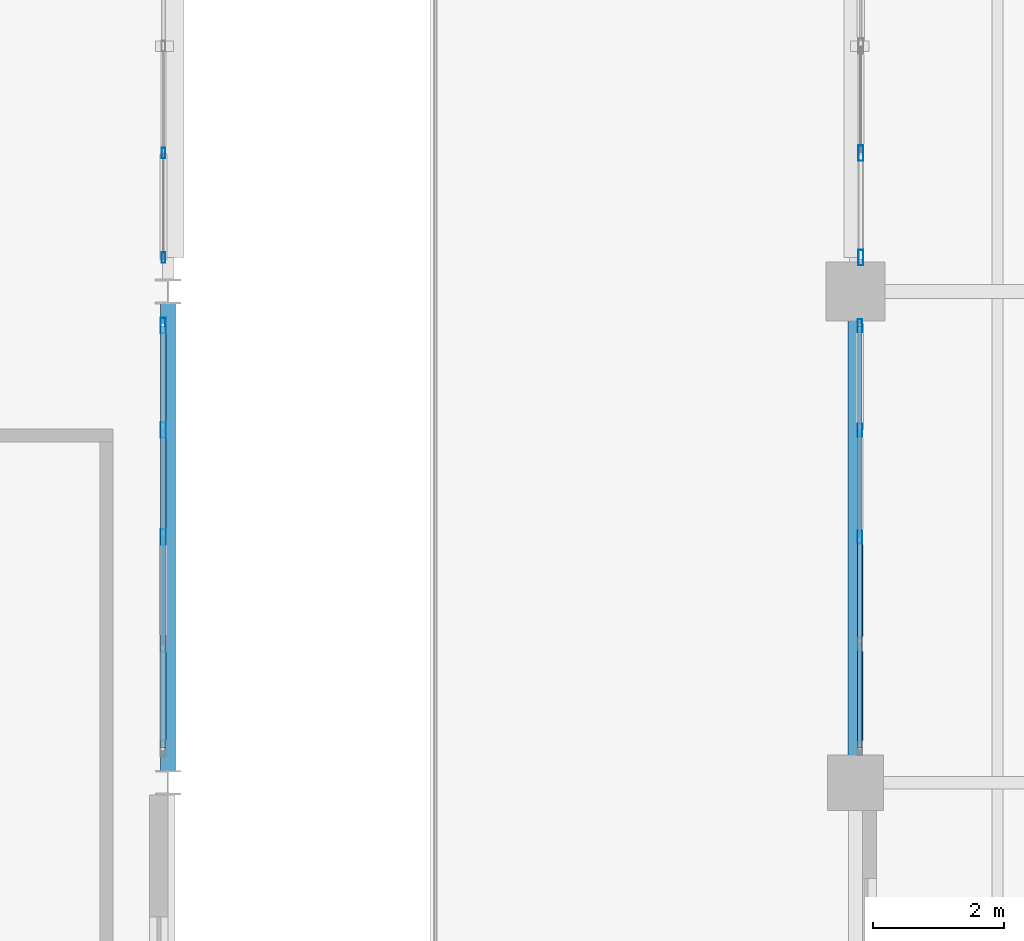
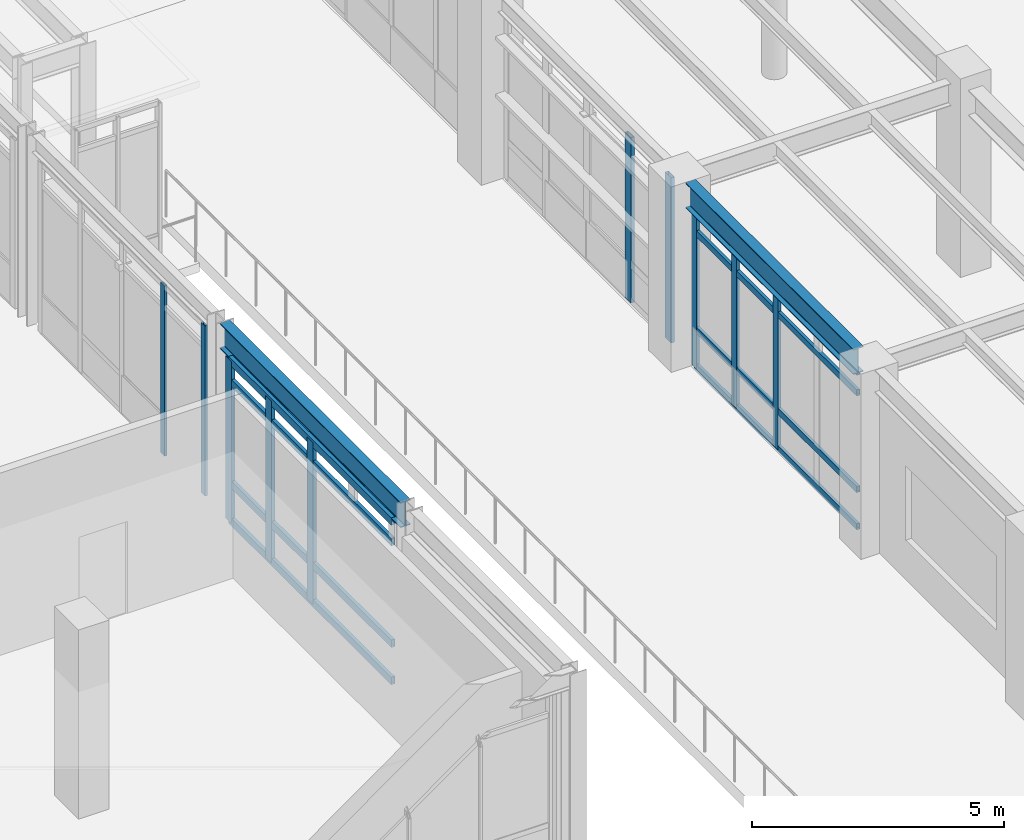
# One storey, part 27 of 200: 18 members, 2 beams, 4 elements without a shape of their own.
"""IFC4 building model written with IfcOpenShell, lengths in metres."""

from ifc_helpers import new_model, si_unit, direction, frame, origin, origin_2d, place, context, subcontext, project, spatial, hollow_rectangle, i_section, extrude, material, material_profile, profile_set, type_object, element, aggregate, save


model = new_model("IFC4")

# Units and contexts
model_context = context("Model", 3, precision=1e-05, world=origin(), true_north=direction((0.0, 1.0)))
body_context = subcontext(model_context, "Body", "Model", "MODEL_VIEW")
ifc_project = project(units=[si_unit("LENGTHUNIT", "METRE"), si_unit("AREAUNIT", "SQUARE_METRE"), si_unit("VOLUMEUNIT", "CUBIC_METRE"), si_unit("PLANEANGLEUNIT", "RADIAN"), si_unit("MASSUNIT", "GRAM", prefix="KILO"), si_unit("THERMODYNAMICTEMPERATUREUNIT", "KELVIN"), si_unit("POWERUNIT", "WATT")], contexts=[model_context])

# Site, building, storey
site_placement = place(None, origin())
site = spatial("IfcSite", under=ifc_project, at=site_placement, CompositionType="ELEMENT")
building_placement = place(site_placement, origin())
building = spatial("IfcBuilding", under=site, at=building_placement, Name="Tepalcoro Natatorium and Aquatics Centre", CompositionType="ELEMENT")
storey_placement = place(building_placement, frame((0.0, 0.0, 5.39990234375)))
storey = spatial("IfcBuildingStorey", under=building, at=storey_placement, Name="L01", CompositionType="ELEMENT", Elevation=5.39990234375)

# Curtain wall, members
ifc_material_1 = material(Name="Bronze-Anodised Extruded Aluminium Alloy EN AW-6063 T6", Category="aluminium")
curtain_wall_type_1 = type_object("IfcCurtainWallType", Name="CW_LEAN_T2_EW", PredefinedType="USERDEFINED", material=ifc_material_1)
curtain_wall_1_placement = place(storey_placement, origin())
curtain_wall_1 = element("IfcCurtainWall", 1, at=curtain_wall_1_placement, inside=storey, type_object=curtain_wall_type_1, Name="V3 L01 E Unitised Curtain Wall Bay 3", ObjectType="FACETED SOLAR GLAZING", PredefinedType="USERDEFINED")
ifc_material_profile_1 = material_profile(ifc_material_1, hollow_rectangle(XDim=0.06005859375, YDim=0.159912109375, WallThickness=0.00390625, at=origin_2d()), Name="AL60X160X4")
ifc_profile_set_1 = profile_set([ifc_material_profile_1], Name="Bronze-Anodised Extruded Aluminium Alloy EN AW-6063 T6")
member_type_1 = type_object("IfcMemberType", Name="CW_MUL_60x160", PredefinedType="MULLION", material=ifc_profile_set_1)
member_1_placement = place(storey_placement, frame((35.9287109375, 21.02001953125, 0.02001953125), z_axis=(0.0, 0.0, 1.0), x_axis=(1.0, 0.0, 0.0)))
member_1 = element("IfcMember", 2, at=member_1_placement, type_object=member_type_1, Name="CW_LEAN_T2_EW Curtain Wall Mullion", PredefinedType="MULLION", context=body_context, shape_type="SweptSolid", body=[
    extrude(hollow_rectangle(XDim=0.06005859375, YDim=0.159912109375, WallThickness=0.00390625, at=origin_2d()), origin(), (0.0, 0.0, 1.0), 4.1171875),
])
member_2_placement = place(storey_placement, frame((35.9287109375, 22.614990234375, 0.02001953125), z_axis=(0.0, 0.0, 1.0), x_axis=(1.0, 0.0, 0.0)))
member_2 = element("IfcMember", 3, at=member_2_placement, type_object=member_type_1, Name="CW_LEAN_T2_EW Curtain Wall Mullion", PredefinedType="MULLION", context=body_context, shape_type="SweptSolid", body=[
    extrude(hollow_rectangle(XDim=0.06005859375, YDim=0.159912109375, WallThickness=0.00390625, at=origin_2d()), origin(), (0.0, 0.0, 1.0), 4.1171875),
])
aggregate(curtain_wall_1, [member_1, member_2])

curtain_wall_type_2 = type_object("IfcCurtainWallType", Name="CW_LEAN_T1_NS", PredefinedType="USERDEFINED", material=ifc_material_1)
curtain_wall_2_placement = place(storey_placement, origin())
curtain_wall_2 = element("IfcCurtainWall", 4, at=curtain_wall_2_placement, inside=storey, type_object=curtain_wall_type_2, Name="V1 L01 W Unitised Curtain Wall Bay 2", ObjectType="FACETED SOLAR GLAZING", PredefinedType="USERDEFINED")
ifc_material_profile_2 = material_profile(ifc_material_1, hollow_rectangle(XDim=0.070068359375, YDim=0.199951171875, WallThickness=0.0048828125, at=origin_2d()), Name="AL70X200X5")
ifc_profile_set_2 = profile_set([ifc_material_profile_2], Name="Bronze-Anodised Extruded Aluminium Alloy EN AW-6063 T6")
member_type_2 = type_object("IfcMemberType", Name="CW_MUL_70x200", PredefinedType="MULLION", material=ifc_profile_set_2)
member_3_placement = place(storey_placement, frame((46.56494140625, 16.75, 0.02001953125), z_axis=(0.0, 0.0, 1.0), x_axis=(1.0, 0.0, 0.0)))
member_3 = element("IfcMember", 5, at=member_3_placement, type_object=member_type_2, Name="CW_LEAN_T1_NS Curtain Wall Mullion", PredefinedType="MULLION", context=body_context, shape_type="SweptSolid", body=[
    extrude(hollow_rectangle(XDim=0.070068359375, YDim=0.199951171875, WallThickness=0.0048828125, at=origin_2d()), origin(), (0.0, 0.0, 1.0), 3.798095703125),
])
member_4_placement = place(storey_placement, frame((46.56494140625, 18.385009765625, 0.02001953125), z_axis=(0.0, 0.0, 1.0), x_axis=(1.0, 0.0, 0.0)))
member_4 = element("IfcMember", 6, at=member_4_placement, type_object=member_type_2, Name="CW_LEAN_T1_NS Curtain Wall Mullion", PredefinedType="MULLION", context=body_context, shape_type="SweptSolid", body=[
    extrude(hollow_rectangle(XDim=0.070068359375, YDim=0.199951171875, WallThickness=0.0048828125, at=origin_2d()), origin(), (0.0, 0.0, 1.0), 3.798095703125),
])
member_5_placement = place(storey_placement, frame((46.56494140625, 19.97998046875, 0.02001953125), z_axis=(0.0, 0.0, 1.0), x_axis=(1.0, 0.0, 0.0)))
member_5 = element("IfcMember", 7, at=member_5_placement, type_object=member_type_2, Name="CW_LEAN_T1_NS Curtain Wall Mullion", PredefinedType="MULLION", context=body_context, shape_type="SweptSolid", body=[
    extrude(hollow_rectangle(XDim=0.070068359375, YDim=0.199951171875, WallThickness=0.0048828125, at=origin_2d()), origin(), (0.0, 0.0, 1.0), 3.798095703125),
])

curtain_wall_type_3 = type_object("IfcCurtainWallType", Name="CW_LEAN_T1_EW", PredefinedType="USERDEFINED", material=ifc_material_1)
curtain_wall_3_placement = place(storey_placement, origin())
curtain_wall_3 = element("IfcCurtainWall", 8, at=curtain_wall_3_placement, inside=storey, type_object=curtain_wall_type_3, Name="V1 L01 W Unitised Curtain Wall Bay 3", ObjectType="FACETED SOLAR GLAZING", PredefinedType="USERDEFINED")
ifc_material_profile_3 = material_profile(ifc_material_1, hollow_rectangle(XDim=0.080078125, YDim=0.239990234375, WallThickness=0.0048828125, at=origin_2d()), Name="AL80X240X5")
ifc_profile_set_3 = profile_set([ifc_material_profile_3], Name="Bronze-Anodised Extruded Aluminium Alloy EN AW-6063 T6")
member_type_3 = type_object("IfcMemberType", Name="CW_MUL_80x240", PredefinedType="MULLION", material=ifc_profile_set_3)
member_6_placement = place(storey_placement, frame((46.580078125, 21.02001953125, 0.02001953125), z_axis=(0.0, 0.0, 1.0), x_axis=(1.0, 0.0, 0.0)))
member_6 = element("IfcMember", 9, at=member_6_placement, type_object=member_type_3, Name="CW_LEAN_T1_EW Curtain Wall Mullion", PredefinedType="MULLION", context=body_context, shape_type="SweptSolid", body=[
    extrude(hollow_rectangle(XDim=0.080078125, YDim=0.239990234375, WallThickness=0.0048828125, at=origin_2d()), origin(), (0.0, 0.0, 1.0), 3.9970703125),
])
member_7_placement = place(storey_placement, frame((46.580078125, 22.614990234375, 0.02001953125), z_axis=(0.0, 0.0, 1.0), x_axis=(1.0, 0.0, 0.0)))
member_7 = element("IfcMember", 10, at=member_7_placement, type_object=member_type_3, Name="CW_LEAN_T1_EW Curtain Wall Mullion", PredefinedType="MULLION", context=body_context, shape_type="SweptSolid", body=[
    extrude(hollow_rectangle(XDim=0.080078125, YDim=0.239990234375, WallThickness=0.0048828125, at=origin_2d()), origin(), (0.0, 0.0, 1.0), 3.9970703125),
])
aggregate(curtain_wall_3, [member_6, member_7])

curtain_wall_type_4 = type_object("IfcCurtainWallType", Name="CW_LEAN_T2_NS", PredefinedType="USERDEFINED", material=ifc_material_1)
curtain_wall_4_placement = place(storey_placement, origin())
curtain_wall_4 = element("IfcCurtainWall", 11, at=curtain_wall_4_placement, inside=storey, type_object=curtain_wall_type_4, Name="V3 L01 E Unitised Curtain Wall Bay 2", ObjectType="FACETED SOLAR GLAZING", PredefinedType="USERDEFINED")
member_8_placement = place(storey_placement, frame((35.923828125, 16.75, 0.02001953125), z_axis=(0.0, 0.0, 1.0), x_axis=(1.0, 0.0, 0.0)))
member_8 = element("IfcMember", 12, at=member_8_placement, type_object=member_type_3, Name="CW_LEAN_T2_NS Curtain Wall Mullion", PredefinedType="MULLION", context=body_context, shape_type="SweptSolid", body=[
    extrude(hollow_rectangle(XDim=0.080078125, YDim=0.239990234375, WallThickness=0.0048828125, at=origin_2d()), origin(), (0.0, 0.0, 1.0), 3.91796875),
])
member_9_placement = place(storey_placement, frame((35.923828125, 18.385009765625, 0.02001953125), z_axis=(0.0, 0.0, 1.0), x_axis=(1.0, 0.0, 0.0)))
member_9 = element("IfcMember", 13, at=member_9_placement, type_object=member_type_3, Name="CW_LEAN_T2_NS Curtain Wall Mullion", PredefinedType="MULLION", context=body_context, shape_type="SweptSolid", body=[
    extrude(hollow_rectangle(XDim=0.080078125, YDim=0.239990234375, WallThickness=0.0048828125, at=origin_2d()), origin(), (0.0, 0.0, 1.0), 3.91796875),
])
member_10_placement = place(storey_placement, frame((35.923828125, 19.97998046875, 0.02001953125), z_axis=(0.0, 0.0, 1.0), x_axis=(1.0, 0.0, 0.0)))
member_10 = element("IfcMember", 14, at=member_10_placement, type_object=member_type_3, Name="CW_LEAN_T2_NS Curtain Wall Mullion", PredefinedType="MULLION", context=body_context, shape_type="SweptSolid", body=[
    extrude(hollow_rectangle(XDim=0.080078125, YDim=0.239990234375, WallThickness=0.0048828125, at=origin_2d()), origin(), (0.0, 0.0, 1.0), 3.91796875),
])

# Member
ifc_material_profile_4 = material_profile(ifc_material_1, hollow_rectangle(XDim=0.070068359375, YDim=0.14990234375, WallThickness=0.00390625, at=origin_2d()), Name="AL70X150X4")
ifc_profile_set_4 = profile_set([ifc_material_profile_4], Name="Bronze-Anodised Extruded Aluminium Alloy EN AW-6063 T6")
member_type_4 = type_object("IfcMemberType", Name="CW_TRN_70x150", PredefinedType="USERDEFINED", material=ifc_profile_set_4)
member_11_placement = place(storey_placement, frame((46.56494140625, 13.530029296875, 0.050048828125), z_axis=(0.0, 1.0, 0.0), x_axis=(-1.0, 0.0, 0.0)))
member_11 = element("IfcMember", 15, at=member_11_placement, type_object=member_type_4, Name="CW_LEAN_T1_NS Curtain Wall Transom", ObjectType="TRANSOM", PredefinedType="USERDEFINED", context=body_context, shape_type="SweptSolid", body=[
    extrude(hollow_rectangle(XDim=0.070068359375, YDim=0.14990234375, WallThickness=0.00390625, at=origin_2d()), origin(), (0.0, 0.0, 1.0), 6.43994140625),
])

member_12_placement = place(storey_placement, frame((46.56494140625, 13.530029296875, 0.9501953125), z_axis=(0.0, 1.0, 0.0), x_axis=(-1.0, 0.0, 0.0)))
member_12 = element("IfcMember", 16, at=member_12_placement, type_object=member_type_4, Name="CW_LEAN_T1_NS Curtain Wall Transom", ObjectType="TRANSOM", PredefinedType="USERDEFINED", context=body_context, shape_type="SweptSolid", body=[
    extrude(hollow_rectangle(XDim=0.070068359375, YDim=0.14990234375, WallThickness=0.00390625, at=origin_2d()), origin(), (0.0, 0.0, 1.0), 6.43994140625),
])

member_13_placement = place(storey_placement, frame((46.56494140625, 13.530029296875, 3.2880859375), z_axis=(0.0, 1.0, 0.0), x_axis=(-1.0, 0.0, 0.0)))
member_13 = element("IfcMember", 17, at=member_13_placement, type_object=member_type_4, Name="CW_LEAN_T1_NS Curtain Wall Transom", ObjectType="TRANSOM", PredefinedType="USERDEFINED", context=body_context, shape_type="SweptSolid", body=[
    extrude(hollow_rectangle(XDim=0.070068359375, YDim=0.14990234375, WallThickness=0.00390625, at=origin_2d()), origin(), (0.0, 0.0, 1.0), 6.43994140625),
])

member_14_placement = place(storey_placement, frame((46.56494140625, 13.530029296875, 3.7880859375), z_axis=(0.0, 1.0, 0.0), x_axis=(-1.0, 0.0, 0.0)))
member_14 = element("IfcMember", 18, at=member_14_placement, type_object=member_type_4, Name="CW_LEAN_T1_NS Curtain Wall Transom", ObjectType="TRANSOM", PredefinedType="USERDEFINED", context=body_context, shape_type="SweptSolid", body=[
    extrude(hollow_rectangle(XDim=0.070068359375, YDim=0.14990234375, WallThickness=0.00390625, at=origin_2d()), origin(), (0.0, 0.0, 1.0), 6.43994140625),
])

aggregate(curtain_wall_2, [member_3, member_4, member_5, member_11, member_12, member_13, member_14])

ifc_material_profile_5 = material_profile(ifc_material_1, hollow_rectangle(XDim=0.080078125, YDim=0.179931640625, WallThickness=0.0048828125, at=origin_2d()), Name="AL80X180X5")
ifc_profile_set_5 = profile_set([ifc_material_profile_5], Name="Bronze-Anodised Extruded Aluminium Alloy EN AW-6063 T6")
member_type_5 = type_object("IfcMemberType", Name="CW_TRN_80x180", PredefinedType="USERDEFINED", material=ifc_profile_set_5)
member_15_placement = place(storey_placement, frame((35.923828125, 13.530029296875, 0.050048828125), z_axis=(0.0, 1.0, 0.0), x_axis=(-1.0, 0.0, 0.0)))
member_15 = element("IfcMember", 19, at=member_15_placement, type_object=member_type_5, Name="CW_LEAN_T2_NS Curtain Wall Transom", ObjectType="TRANSOM", PredefinedType="USERDEFINED", context=body_context, shape_type="SweptSolid", body=[
    extrude(hollow_rectangle(XDim=0.080078125, YDim=0.179931640625, WallThickness=0.0048828125, at=origin_2d()), origin(), (0.0, 0.0, 1.0), 6.43994140625),
])

member_16_placement = place(storey_placement, frame((35.923828125, 13.530029296875, 0.9501953125), z_axis=(0.0, 1.0, 0.0), x_axis=(-1.0, 0.0, 0.0)))
member_16 = element("IfcMember", 20, at=member_16_placement, type_object=member_type_5, Name="CW_LEAN_T2_NS Curtain Wall Transom", ObjectType="TRANSOM", PredefinedType="USERDEFINED", context=body_context, shape_type="SweptSolid", body=[
    extrude(hollow_rectangle(XDim=0.080078125, YDim=0.179931640625, WallThickness=0.0048828125, at=origin_2d()), origin(), (0.0, 0.0, 1.0), 6.43994140625),
])

member_17_placement = place(storey_placement, frame((35.923828125, 13.530029296875, 3.408203125), z_axis=(0.0, 1.0, 0.0), x_axis=(-1.0, 0.0, 0.0)))
member_17 = element("IfcMember", 21, at=member_17_placement, type_object=member_type_5, Name="CW_LEAN_T2_NS Curtain Wall Transom", ObjectType="TRANSOM", PredefinedType="USERDEFINED", context=body_context, shape_type="SweptSolid", body=[
    extrude(hollow_rectangle(XDim=0.080078125, YDim=0.179931640625, WallThickness=0.0048828125, at=origin_2d()), origin(), (0.0, 0.0, 1.0), 6.43994140625),
])

member_18_placement = place(storey_placement, frame((35.923828125, 13.530029296875, 3.908203125), z_axis=(0.0, 1.0, 0.0), x_axis=(-1.0, 0.0, 0.0)))
member_18 = element("IfcMember", 22, at=member_18_placement, type_object=member_type_5, Name="CW_LEAN_T2_NS Curtain Wall Transom", ObjectType="TRANSOM", PredefinedType="USERDEFINED", context=body_context, shape_type="SweptSolid", body=[
    extrude(hollow_rectangle(XDim=0.080078125, YDim=0.179931640625, WallThickness=0.0048828125, at=origin_2d()), origin(), (0.0, 0.0, 1.0), 6.43994140625),
])

aggregate(curtain_wall_4, [member_8, member_9, member_10, member_15, member_16, member_17, member_18])

# Beams
ifc_material_2 = material(Name="Steel ASTM A992 Grade 50 (Fy 345 MPa)", Category="steel")
ifc_material_profile_6 = material_profile(ifc_material_2, i_section(OverallWidth=0.22900390625, OverallDepth=0.612060546875, WebThickness=0.011962890625, FlangeThickness=0.02001953125, FilletRadius=0.013916015625, at=origin_2d()), Name="W24X84")
ifc_profile_set_6 = profile_set([ifc_material_profile_6], Name="Steel ASTM A992 Grade 50 (Fy 345 MPa)")
beam_type = type_object("IfcBeamType", Name="SP_W24x84", PredefinedType="SPANDREL", material=ifc_profile_set_6)
beam_1_placement = place(storey_placement, frame((46.5, 13.409912109375, 4.1591796875), z_axis=(0.0, 1.0, 0.0), x_axis=(-1.0, 0.0, 0.0)))
element("IfcBeam", 23, at=beam_1_placement, inside=storey, type_object=beam_type, Name="V1 L01 Grid Girder Y", PredefinedType="SPANDREL", context=body_context, shape_type="SweptSolid", body=[
    extrude(i_section(OverallWidth=0.22900390625, OverallDepth=0.612060546875, WebThickness=0.011962890625, FlangeThickness=0.02001953125, FilletRadius=0.013916015625, at=origin_2d()), origin(), (0.0, 0.0, 1.0), 6.655029296875),
])
beam_2_placement = place(storey_placement, frame((36.0, 13.1669921875, 4.279052734375), z_axis=(0.0, 1.0, 0.0), x_axis=(-1.0, 0.0, 0.0)))
element("IfcBeam", 24, at=beam_2_placement, inside=storey, type_object=beam_type, Name="V3 L01 Grid Girder Y", PredefinedType="SPANDREL", context=body_context, shape_type="SweptSolid", body=[
    extrude(i_section(OverallWidth=0.22900390625, OverallDepth=0.612060546875, WebThickness=0.011962890625, FlangeThickness=0.02001953125, FilletRadius=0.013916015625, at=origin_2d()), origin(), (0.0, 0.0, 1.0), 7.160888671875),
])

save(model, "model.ifc")
